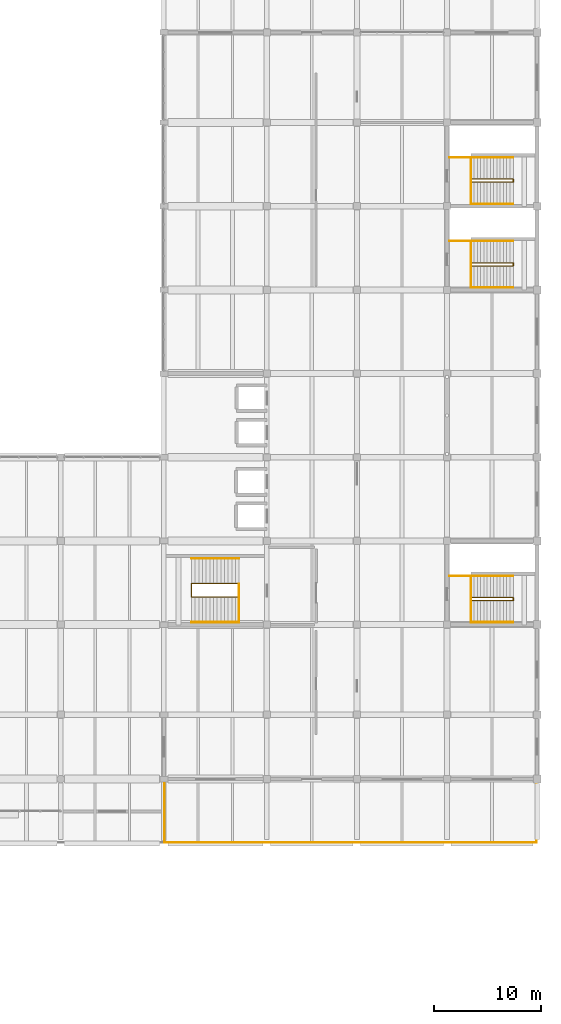
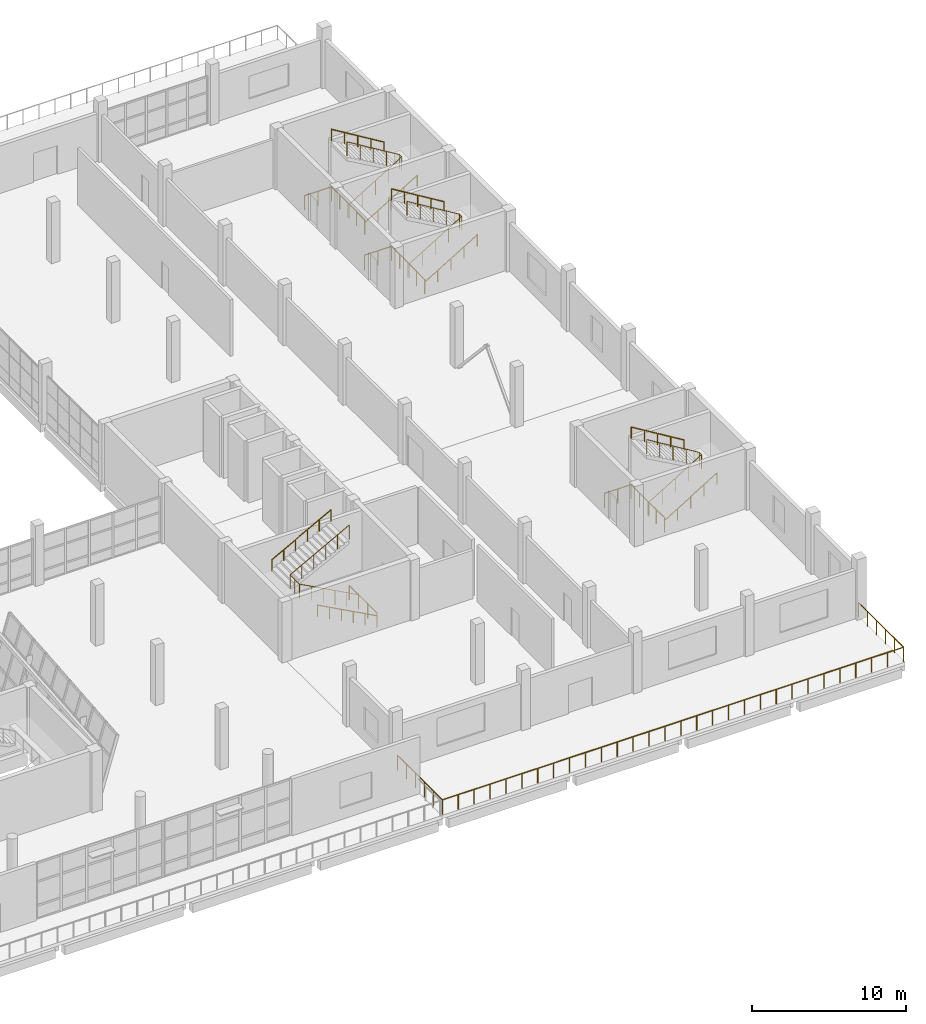
# One storey, part 78 of 79: 17 railings.
"""IFC4 building model written with IfcOpenShell, lengths in metres."""

from ifc_helpers import new_model, si_unit, direction, frame, origin, origin_2d, place, context, subcontext, project, spatial, circle, extrude, material, type_object, element, save


model = new_model("IFC4")

# Units and contexts
model_context = context("Model", 3, precision=1e-05, world=origin(), true_north=direction((0.0, 1.0)))
body_context = subcontext(model_context, "Body", "Model", "MODEL_VIEW")
ifc_project = project(units=[si_unit("LENGTHUNIT", "METRE"), si_unit("AREAUNIT", "SQUARE_METRE"), si_unit("VOLUMEUNIT", "CUBIC_METRE"), si_unit("PLANEANGLEUNIT", "RADIAN"), si_unit("MASSUNIT", "GRAM", prefix="KILO")], contexts=[model_context])

# Site, building, storey
site_placement = place(None, origin())
site = spatial("IfcSite", under=ifc_project, at=site_placement, CompositionType="ELEMENT")
building_placement = place(site_placement, origin())
building = spatial("IfcBuilding", under=site, at=building_placement, Name="Pellamere Symphony Hall", CompositionType="ELEMENT")
storey_placement = place(building_placement, frame((0.0, 0.0, 10.199951171875)))
storey = spatial("IfcBuildingStorey", under=building, at=storey_placement, Name="L02", CompositionType="ELEMENT", Elevation=10.199951171875)

# Railings
ifc_material_1 = material(Name="Painted Steel CSA G40.21 350W", Category="steel")
railing_type_1 = type_object("IfcRailingType", Name="Guardrail GR-02 H1150 Painted", PredefinedType="GUARDRAIL", material=ifc_material_1)
railing_1_placement = place(storey_placement, frame((145.02490234375, 40.989990234375, 0.0)))
element("IfcRailing", 1, at=railing_1_placement, inside=storey, type_object=railing_type_1, Name="Stair ST02-L02 Continuous Well Guardrail (L02)", PredefinedType="GUARDRAIL", context=body_context, shape_type="SweptSolid", body=[
    extrude(circle(Radius=0.02392578125, at=origin_2d()), frame((0.0, 0.0, 1.1259765625), z_axis=(-0.880139072787, 0.0, 0.47471592827), x_axis=(0.0, -1.0, 0.0)), (0.0, 0.0, 1.0), 5.055908203125),
    extrude(circle(Radius=0.02392578125, at=origin_2d()), frame((-4.449951171875, 0.0, 3.52587890625), z_axis=(0.0, 1.0, 0.0), x_axis=(-1.0, 0.0, 0.0)), (0.0, 0.0, 1.0), 1.219970703125),
    extrude(circle(Radius=0.02392578125, at=origin_2d()), frame((-4.449951171875, 1.219970703125, 3.52587890625), z_axis=(0.880159247811, 0.0, 0.474678521204), x_axis=(0.0, 1.0, 0.0)), (0.0, 0.0, 1.0), 5.055908203125),
    extrude(circle(Radius=0.02099609375, at=origin_2d()), origin(), (0.0, 0.0, 1.0), 1.101806640625),
    extrude(circle(Radius=0.02099609375, at=origin_2d()), frame((-0.889892578125, 0.0, 0.47998046875)), (0.0, 0.0, 1.0), 1.101806640625),
    extrude(circle(Radius=0.02099609375, at=origin_2d()), frame((-1.780029296875, 0.0, 0.9599609375)), (0.0, 0.0, 1.0), 1.101806640625),
    extrude(circle(Radius=0.02099609375, at=origin_2d()), frame((-2.669921875, 0.0, 1.440185546875)), (0.0, 0.0, 1.0), 1.101806640625),
    extrude(circle(Radius=0.02099609375, at=origin_2d()), frame((-3.56005859375, 0.0, 1.920166015625)), (0.0, 0.0, 1.0), 1.101806640625),
    extrude(circle(Radius=0.02099609375, at=origin_2d()), frame((-4.449951171875, 0.0, 2.400146484375)), (0.0, 0.0, 1.0), 1.101806640625),
    extrude(circle(Radius=0.02099609375, at=origin_2d()), frame((-4.449951171875, 0.60986328125, 2.400146484375)), (0.0, 0.0, 1.0), 1.101806640625),
    extrude(circle(Radius=0.02099609375, at=origin_2d()), frame((-4.449951171875, 1.219970703125, 2.400146484375)), (0.0, 0.0, 1.0), 1.101806640625),
    extrude(circle(Radius=0.02099609375, at=origin_2d()), frame((-3.56005859375, 1.219970703125, 2.880126953125)), (0.0, 0.0, 1.0), 1.101806640625),
    extrude(circle(Radius=0.02099609375, at=origin_2d()), frame((-2.669921875, 1.219970703125, 3.360107421875)), (0.0, 0.0, 1.0), 1.101806640625),
    extrude(circle(Radius=0.02099609375, at=origin_2d()), frame((-1.780029296875, 1.219970703125, 3.840087890625)), (0.0, 0.0, 1.0), 1.101806640625),
    extrude(circle(Radius=0.02099609375, at=origin_2d()), frame((-0.889892578125, 1.219970703125, 4.320068359375)), (0.0, 0.0, 1.0), 1.101806640625),
    extrude(circle(Radius=0.02099609375, at=origin_2d()), frame((0.0, 1.219970703125, 4.800048828125)), (0.0, 0.0, 1.0), 1.101806640625),
])
railing_2_placement = place(storey_placement, frame((145.02490234375, 38.610107421875, 0.0)))
element("IfcRailing", 2, at=railing_2_placement, inside=storey, type_object=railing_type_1, Name="Stair ST02-L02 Landing Well Slot Guard (L02)", PredefinedType="GUARDRAIL", context=body_context, shape_type="SweptSolid", body=[
    extrude(circle(Radius=0.02392578125, at=origin_2d()), frame((0.0, 0.0, 1.1259765625), z_axis=(0.0, 1.0, 0.0), x_axis=(-1.0, 0.0, 0.0)), (0.0, 0.0, 1.0), 3.599853515625),
    extrude(circle(Radius=0.02099609375, at=origin_2d()), origin(), (0.0, 0.0, 1.0), 1.101806640625),
    extrude(circle(Radius=0.02099609375, at=origin_2d()), frame((0.0, 1.199951171875, 0.0)), (0.0, 0.0, 1.0), 1.101806640625),
    extrude(circle(Radius=0.02099609375, at=origin_2d()), frame((0.0, 2.39990234375, 0.0)), (0.0, 0.0, 1.0), 1.101806640625),
    extrude(circle(Radius=0.02099609375, at=origin_2d()), frame((0.0, 3.599853515625, 0.0)), (0.0, 0.0, 1.0), 1.101806640625),
])
railing_3_placement = place(storey_placement, frame((166.625, 71.840087890625, 0.0)))
element("IfcRailing", 3, at=railing_3_placement, inside=storey, type_object=railing_type_1, Name="Stair ST05-L02 Continuous Well Guardrail (L02)", PredefinedType="GUARDRAIL", context=body_context, shape_type="SweptSolid", body=[
    extrude(circle(Radius=0.02392578125, at=origin_2d()), frame((0.0, 0.0, 1.1259765625), z_axis=(0.854599162348, 0.0, 0.519288235679), x_axis=(0.0, 1.0, 0.0)), (0.0, 0.0, 1.0), 4.6220703125),
    extrude(circle(Radius=0.02392578125, at=origin_2d()), frame((3.949951171875, 0.0, 3.52587890625), z_axis=(0.0, 1.0, 0.0), x_axis=(-1.0, 0.0, 0.0)), (0.0, 0.0, 1.0), 0.280029296875),
    extrude(circle(Radius=0.02392578125, at=origin_2d()), frame((3.949951171875, 0.280029296875, 3.52587890625), z_axis=(-0.854622603422, 0.0, 0.519249656446), x_axis=(0.0, -1.0, 0.0)), (0.0, 0.0, 1.0), 4.621826171875),
    extrude(circle(Radius=0.02099609375, at=origin_2d()), origin(), (0.0, 0.0, 1.0), 1.101806640625),
    extrude(circle(Radius=0.02099609375, at=origin_2d()), frame((0.987548828125, 0.0, 0.60009765625)), (0.0, 0.0, 1.0), 1.101806640625),
    extrude(circle(Radius=0.02099609375, at=origin_2d()), frame((1.97509765625, 0.0, 1.2001953125)), (0.0, 0.0, 1.0), 1.101806640625),
    extrude(circle(Radius=0.02099609375, at=origin_2d()), frame((2.96240234375, 0.0, 1.800048828125)), (0.0, 0.0, 1.0), 1.101806640625),
    extrude(circle(Radius=0.02099609375, at=origin_2d()), frame((3.949951171875, 0.0, 2.400146484375)), (0.0, 0.0, 1.0), 1.101806640625),
    extrude(circle(Radius=0.02099609375, at=origin_2d()), frame((3.949951171875, 0.280029296875, 2.400146484375)), (0.0, 0.0, 1.0), 1.101806640625),
    extrude(circle(Radius=0.02099609375, at=origin_2d()), frame((2.96240234375, 0.280029296875, 3.0)), (0.0, 0.0, 1.0), 1.101806640625),
    extrude(circle(Radius=0.02099609375, at=origin_2d()), frame((1.97509765625, 0.280029296875, 3.60009765625)), (0.0, 0.0, 1.0), 1.101806640625),
    extrude(circle(Radius=0.02099609375, at=origin_2d()), frame((0.987548828125, 0.280029296875, 4.2001953125)), (0.0, 0.0, 1.0), 1.101806640625),
    extrude(circle(Radius=0.02099609375, at=origin_2d()), frame((0.0, 0.280029296875, 4.800048828125)), (0.0, 0.0, 1.0), 1.101806640625),
])
railing_4_placement = place(storey_placement, frame((166.625, 69.81005859375, 0.0)))
element("IfcRailing", 4, at=railing_4_placement, inside=storey, type_object=railing_type_1, Name="Stair ST05-L02 Landing Well Slot Guard (L02)", PredefinedType="GUARDRAIL", context=body_context, shape_type="SweptSolid", body=[
    extrude(circle(Radius=0.02392578125, at=origin_2d()), frame((0.0, 0.0, 1.1259765625), z_axis=(0.0, 1.0, 0.0), x_axis=(-1.0, 0.0, 0.0)), (0.0, 0.0, 1.0), 4.33984375),
    extrude(circle(Radius=0.02392578125, at=origin_2d()), frame((0.0, 4.33984375, 1.1259765625), z_axis=(-1.0, 0.0, 0.0), x_axis=(0.0, -1.0, 0.0)), (0.0, 0.0, 1.0), 2.014892578125),
    extrude(circle(Radius=0.02099609375, at=origin_2d()), origin(), (0.0, 0.0, 1.0), 1.101806640625),
    extrude(circle(Radius=0.02099609375, at=origin_2d()), frame((0.0, 1.0849609375, 0.0)), (0.0, 0.0, 1.0), 1.101806640625),
    extrude(circle(Radius=0.02099609375, at=origin_2d()), frame((0.0, 2.169921875, 0.0)), (0.0, 0.0, 1.0), 1.101806640625),
    extrude(circle(Radius=0.02099609375, at=origin_2d()), frame((0.0, 3.2548828125, 0.0)), (0.0, 0.0, 1.0), 1.101806640625),
    extrude(circle(Radius=0.02099609375, at=origin_2d()), frame((0.0, 4.33984375, 0.0)), (0.0, 0.0, 1.0), 1.101806640625),
    extrude(circle(Radius=0.02099609375, at=origin_2d()), frame((-1.00732421875, 4.33984375, 0.0)), (0.0, 0.0, 1.0), 1.101806640625),
    extrude(circle(Radius=0.02099609375, at=origin_2d()), frame((-2.014892578125, 4.33984375, 0.0)), (0.0, 0.0, 1.0), 1.101806640625),
])
railing_5_placement = place(storey_placement, frame((166.625, 40.639892578125, 0.0)))
element("IfcRailing", 5, at=railing_5_placement, inside=storey, type_object=railing_type_1, Name="Stair ST06-L02 Continuous Well Guardrail (L02)", PredefinedType="GUARDRAIL", context=body_context, shape_type="SweptSolid", body=[
    extrude(circle(Radius=0.02392578125, at=origin_2d()), frame((0.0, 0.0, 1.1259765625), z_axis=(0.854599162348, 0.0, 0.519288235679), x_axis=(0.0, 1.0, 0.0)), (0.0, 0.0, 1.0), 4.6220703125),
    extrude(circle(Radius=0.02392578125, at=origin_2d()), frame((3.949951171875, 0.0, 3.52587890625), z_axis=(0.0, 1.0, 0.0), x_axis=(-1.0, 0.0, 0.0)), (0.0, 0.0, 1.0), 0.280029296875),
    extrude(circle(Radius=0.02392578125, at=origin_2d()), frame((3.949951171875, 0.280029296875, 3.52587890625), z_axis=(-0.854622603422, 0.0, 0.519249656446), x_axis=(0.0, -1.0, 0.0)), (0.0, 0.0, 1.0), 4.621826171875),
    extrude(circle(Radius=0.02099609375, at=origin_2d()), origin(), (0.0, 0.0, 1.0), 1.101806640625),
    extrude(circle(Radius=0.02099609375, at=origin_2d()), frame((0.987548828125, 0.0, 0.60009765625)), (0.0, 0.0, 1.0), 1.101806640625),
    extrude(circle(Radius=0.02099609375, at=origin_2d()), frame((1.97509765625, 0.0, 1.2001953125)), (0.0, 0.0, 1.0), 1.101806640625),
    extrude(circle(Radius=0.02099609375, at=origin_2d()), frame((2.96240234375, 0.0, 1.800048828125)), (0.0, 0.0, 1.0), 1.101806640625),
    extrude(circle(Radius=0.02099609375, at=origin_2d()), frame((3.949951171875, 0.0, 2.400146484375)), (0.0, 0.0, 1.0), 1.101806640625),
    extrude(circle(Radius=0.02099609375, at=origin_2d()), frame((3.949951171875, 0.280029296875, 2.400146484375)), (0.0, 0.0, 1.0), 1.101806640625),
    extrude(circle(Radius=0.02099609375, at=origin_2d()), frame((2.96240234375, 0.280029296875, 3.0)), (0.0, 0.0, 1.0), 1.101806640625),
    extrude(circle(Radius=0.02099609375, at=origin_2d()), frame((1.97509765625, 0.280029296875, 3.60009765625)), (0.0, 0.0, 1.0), 1.101806640625),
    extrude(circle(Radius=0.02099609375, at=origin_2d()), frame((0.987548828125, 0.280029296875, 4.2001953125)), (0.0, 0.0, 1.0), 1.101806640625),
    extrude(circle(Radius=0.02099609375, at=origin_2d()), frame((0.0, 0.280029296875, 4.800048828125)), (0.0, 0.0, 1.0), 1.101806640625),
])
railing_6_placement = place(storey_placement, frame((166.625, 38.610107421875, 0.0)))
element("IfcRailing", 6, at=railing_6_placement, inside=storey, type_object=railing_type_1, Name="Stair ST06-L02 Landing Well Slot Guard (L02)", PredefinedType="GUARDRAIL", context=body_context, shape_type="SweptSolid", body=[
    extrude(circle(Radius=0.02392578125, at=origin_2d()), frame((0.0, 0.0, 1.1259765625), z_axis=(0.0, 1.0, 0.0), x_axis=(-1.0, 0.0, 0.0)), (0.0, 0.0, 1.0), 4.33984375),
    extrude(circle(Radius=0.02392578125, at=origin_2d()), frame((0.0, 4.33984375, 1.1259765625), z_axis=(-1.0, 0.0, 0.0), x_axis=(0.0, -1.0, 0.0)), (0.0, 0.0, 1.0), 2.014892578125),
    extrude(circle(Radius=0.02099609375, at=origin_2d()), origin(), (0.0, 0.0, 1.0), 1.101806640625),
    extrude(circle(Radius=0.02099609375, at=origin_2d()), frame((0.0, 1.0849609375, 0.0)), (0.0, 0.0, 1.0), 1.101806640625),
    extrude(circle(Radius=0.02099609375, at=origin_2d()), frame((0.0, 2.169921875, 0.0)), (0.0, 0.0, 1.0), 1.101806640625),
    extrude(circle(Radius=0.02099609375, at=origin_2d()), frame((0.0, 3.2548828125, 0.0)), (0.0, 0.0, 1.0), 1.101806640625),
    extrude(circle(Radius=0.02099609375, at=origin_2d()), frame((0.0, 4.33984375, 0.0)), (0.0, 0.0, 1.0), 1.101806640625),
    extrude(circle(Radius=0.02099609375, at=origin_2d()), frame((-1.00732421875, 4.33984375, 0.0)), (0.0, 0.0, 1.0), 1.101806640625),
    extrude(circle(Radius=0.02099609375, at=origin_2d()), frame((-2.014892578125, 4.33984375, 0.0)), (0.0, 0.0, 1.0), 1.101806640625),
])
railing_7_placement = place(storey_placement, frame((166.625, 79.639892578125, 0.0)))
element("IfcRailing", 7, at=railing_7_placement, inside=storey, type_object=railing_type_1, Name="Stair ST14-L02 Continuous Well Guardrail (L02)", PredefinedType="GUARDRAIL", context=body_context, shape_type="SweptSolid", body=[
    extrude(circle(Radius=0.02392578125, at=origin_2d()), frame((0.0, 0.0, 1.1259765625), z_axis=(0.854599162348, 0.0, 0.519288235679), x_axis=(0.0, 1.0, 0.0)), (0.0, 0.0, 1.0), 4.6220703125),
    extrude(circle(Radius=0.02392578125, at=origin_2d()), frame((3.949951171875, 0.0, 3.52587890625), z_axis=(0.0, 1.0, 0.0), x_axis=(-1.0, 0.0, 0.0)), (0.0, 0.0, 1.0), 0.280029296875),
    extrude(circle(Radius=0.02392578125, at=origin_2d()), frame((3.949951171875, 0.280029296875, 3.52587890625), z_axis=(-0.854622603422, 0.0, 0.519249656446), x_axis=(0.0, -1.0, 0.0)), (0.0, 0.0, 1.0), 4.621826171875),
    extrude(circle(Radius=0.02099609375, at=origin_2d()), origin(), (0.0, 0.0, 1.0), 1.101806640625),
    extrude(circle(Radius=0.02099609375, at=origin_2d()), frame((0.987548828125, 0.0, 0.60009765625)), (0.0, 0.0, 1.0), 1.101806640625),
    extrude(circle(Radius=0.02099609375, at=origin_2d()), frame((1.97509765625, 0.0, 1.2001953125)), (0.0, 0.0, 1.0), 1.101806640625),
    extrude(circle(Radius=0.02099609375, at=origin_2d()), frame((2.96240234375, 0.0, 1.800048828125)), (0.0, 0.0, 1.0), 1.101806640625),
    extrude(circle(Radius=0.02099609375, at=origin_2d()), frame((3.949951171875, 0.0, 2.400146484375)), (0.0, 0.0, 1.0), 1.101806640625),
    extrude(circle(Radius=0.02099609375, at=origin_2d()), frame((3.949951171875, 0.280029296875, 2.400146484375)), (0.0, 0.0, 1.0), 1.101806640625),
    extrude(circle(Radius=0.02099609375, at=origin_2d()), frame((2.96240234375, 0.280029296875, 3.0)), (0.0, 0.0, 1.0), 1.101806640625),
    extrude(circle(Radius=0.02099609375, at=origin_2d()), frame((1.97509765625, 0.280029296875, 3.60009765625)), (0.0, 0.0, 1.0), 1.101806640625),
    extrude(circle(Radius=0.02099609375, at=origin_2d()), frame((0.987548828125, 0.280029296875, 4.2001953125)), (0.0, 0.0, 1.0), 1.101806640625),
    extrude(circle(Radius=0.02099609375, at=origin_2d()), frame((0.0, 0.280029296875, 4.800048828125)), (0.0, 0.0, 1.0), 1.101806640625),
])
railing_8_placement = place(storey_placement, frame((166.625, 77.610107421875, 0.0)))
element("IfcRailing", 8, at=railing_8_placement, inside=storey, type_object=railing_type_1, Name="Stair ST14-L02 Landing Well Slot Guard (L02)", PredefinedType="GUARDRAIL", context=body_context, shape_type="SweptSolid", body=[
    extrude(circle(Radius=0.02392578125, at=origin_2d()), frame((0.0, 0.0, 1.1259765625), z_axis=(0.0, 1.0, 0.0), x_axis=(-1.0, 0.0, 0.0)), (0.0, 0.0, 1.0), 4.33984375),
    extrude(circle(Radius=0.02392578125, at=origin_2d()), frame((0.0, 4.33984375, 1.1259765625), z_axis=(-1.0, 0.0, 0.0), x_axis=(0.0, -1.0, 0.0)), (0.0, 0.0, 1.0), 2.014892578125),
    extrude(circle(Radius=0.02099609375, at=origin_2d()), origin(), (0.0, 0.0, 1.0), 1.101806640625),
    extrude(circle(Radius=0.02099609375, at=origin_2d()), frame((0.0, 1.0849609375, 0.0)), (0.0, 0.0, 1.0), 1.101806640625),
    extrude(circle(Radius=0.02099609375, at=origin_2d()), frame((0.0, 2.169921875, 0.0)), (0.0, 0.0, 1.0), 1.101806640625),
    extrude(circle(Radius=0.02099609375, at=origin_2d()), frame((0.0, 3.2548828125, 0.0)), (0.0, 0.0, 1.0), 1.101806640625),
    extrude(circle(Radius=0.02099609375, at=origin_2d()), frame((0.0, 4.33984375, 0.0)), (0.0, 0.0, 1.0), 1.101806640625),
    extrude(circle(Radius=0.02099609375, at=origin_2d()), frame((-1.00732421875, 4.33984375, 0.0)), (0.0, 0.0, 1.0), 1.101806640625),
    extrude(circle(Radius=0.02099609375, at=origin_2d()), frame((-2.014892578125, 4.33984375, 0.0)), (0.0, 0.0, 1.0), 1.101806640625),
])
ifc_material_2 = material(Name="Laminated Safety Glass 21.5mm with Stainless Cap", Category="glass")
railing_type_2 = type_object("IfcRailingType", Name="Guardrail GR-03 H1180 Laminated", PredefinedType="GUARDRAIL", material=ifc_material_2)
railing_9_placement = place(storey_placement, frame((138.080078125, 23.919921875, 0.0)))
element("IfcRailing", 9, at=railing_9_placement, inside=storey, type_object=railing_type_2, Name="Safety Guardrail GR-TER-L02-V5S", PredefinedType="GUARDRAIL", context=body_context, shape_type="SweptSolid", body=[
    extrude(circle(Radius=0.02392578125, at=origin_2d()), frame((0.0, 0.0, 1.15576171875), z_axis=(0.0, -1.0, 0.0), x_axis=(1.0, 0.0, 0.0)), (0.0, 0.0, 1.0), 5.83984375),
    extrude(circle(Radius=0.02392578125, at=origin_2d()), frame((0.0, -5.83984375, 1.15576171875), z_axis=(1.0, 0.0, 0.0), x_axis=(0.0, 1.0, 0.0)), (0.0, 0.0, 1.0), 34.639892578125),
    extrude(circle(Radius=0.02392578125, at=origin_2d()), frame((34.639892578125, -5.83984375, 1.15576171875), z_axis=(0.0, 1.0, 0.0), x_axis=(-1.0, 0.0, 0.0)), (0.0, 0.0, 1.0), 5.83984375),
    extrude(circle(Radius=0.02099609375, at=origin_2d()), origin(), (0.0, 0.0, 1.0), 1.1318359375),
    extrude(circle(Radius=0.02099609375, at=origin_2d()), frame((0.0, -1.16796875, 0.0)), (0.0, 0.0, 1.0), 1.1318359375),
    extrude(circle(Radius=0.02099609375, at=origin_2d()), frame((0.0, -2.3359375, 0.0)), (0.0, 0.0, 1.0), 1.1318359375),
    extrude(circle(Radius=0.02099609375, at=origin_2d()), frame((0.0, -3.50390625, 0.0)), (0.0, 0.0, 1.0), 1.1318359375),
    extrude(circle(Radius=0.02099609375, at=origin_2d()), frame((0.0, -4.671875, 0.0)), (0.0, 0.0, 1.0), 1.1318359375),
    extrude(circle(Radius=0.02099609375, at=origin_2d()), frame((0.0, -5.83984375, 0.0)), (0.0, 0.0, 1.0), 1.1318359375),
    extrude(circle(Radius=0.02099609375, at=origin_2d()), frame((1.194580078125, -5.83984375, 0.0)), (0.0, 0.0, 1.0), 1.1318359375),
    extrude(circle(Radius=0.02099609375, at=origin_2d()), frame((2.388916015625, -5.83984375, 0.0)), (0.0, 0.0, 1.0), 1.1318359375),
    extrude(circle(Radius=0.02099609375, at=origin_2d()), frame((3.58349609375, -5.83984375, 0.0)), (0.0, 0.0, 1.0), 1.1318359375),
    extrude(circle(Radius=0.02099609375, at=origin_2d()), frame((4.77783203125, -5.83984375, 0.0)), (0.0, 0.0, 1.0), 1.1318359375),
    extrude(circle(Radius=0.02099609375, at=origin_2d()), frame((5.972412109375, -5.83984375, 0.0)), (0.0, 0.0, 1.0), 1.1318359375),
    extrude(circle(Radius=0.02099609375, at=origin_2d()), frame((7.1669921875, -5.83984375, 0.0)), (0.0, 0.0, 1.0), 1.1318359375),
    extrude(circle(Radius=0.02099609375, at=origin_2d()), frame((8.361328125, -5.83984375, 0.0)), (0.0, 0.0, 1.0), 1.1318359375),
    extrude(circle(Radius=0.02099609375, at=origin_2d()), frame((9.555908203125, -5.83984375, 0.0)), (0.0, 0.0, 1.0), 1.1318359375),
    extrude(circle(Radius=0.02099609375, at=origin_2d()), frame((10.750244140625, -5.83984375, 0.0)), (0.0, 0.0, 1.0), 1.1318359375),
    extrude(circle(Radius=0.02099609375, at=origin_2d()), frame((11.94482421875, -5.83984375, 0.0)), (0.0, 0.0, 1.0), 1.1318359375),
    extrude(circle(Radius=0.02099609375, at=origin_2d()), frame((13.13916015625, -5.83984375, 0.0)), (0.0, 0.0, 1.0), 1.1318359375),
    extrude(circle(Radius=0.02099609375, at=origin_2d()), frame((14.333740234375, -5.83984375, 0.0)), (0.0, 0.0, 1.0), 1.1318359375),
    extrude(circle(Radius=0.02099609375, at=origin_2d()), frame((15.5283203125, -5.83984375, 0.0)), (0.0, 0.0, 1.0), 1.1318359375),
    extrude(circle(Radius=0.02099609375, at=origin_2d()), frame((16.72265625, -5.83984375, 0.0)), (0.0, 0.0, 1.0), 1.1318359375),
    extrude(circle(Radius=0.02099609375, at=origin_2d()), frame((17.917236328125, -5.83984375, 0.0)), (0.0, 0.0, 1.0), 1.1318359375),
    extrude(circle(Radius=0.02099609375, at=origin_2d()), frame((19.111572265625, -5.83984375, 0.0)), (0.0, 0.0, 1.0), 1.1318359375),
    extrude(circle(Radius=0.02099609375, at=origin_2d()), frame((20.30615234375, -5.83984375, 0.0)), (0.0, 0.0, 1.0), 1.1318359375),
    extrude(circle(Radius=0.02099609375, at=origin_2d()), frame((21.500732421875, -5.83984375, 0.0)), (0.0, 0.0, 1.0), 1.1318359375),
    extrude(circle(Radius=0.02099609375, at=origin_2d()), frame((22.695068359375, -5.83984375, 0.0)), (0.0, 0.0, 1.0), 1.1318359375),
    extrude(circle(Radius=0.02099609375, at=origin_2d()), frame((23.8896484375, -5.83984375, 0.0)), (0.0, 0.0, 1.0), 1.1318359375),
    extrude(circle(Radius=0.02099609375, at=origin_2d()), frame((25.083984375, -5.83984375, 0.0)), (0.0, 0.0, 1.0), 1.1318359375),
    extrude(circle(Radius=0.02099609375, at=origin_2d()), frame((26.278564453125, -5.83984375, 0.0)), (0.0, 0.0, 1.0), 1.1318359375),
    extrude(circle(Radius=0.02099609375, at=origin_2d()), frame((27.472900390625, -5.83984375, 0.0)), (0.0, 0.0, 1.0), 1.1318359375),
    extrude(circle(Radius=0.02099609375, at=origin_2d()), frame((28.66748046875, -5.83984375, 0.0)), (0.0, 0.0, 1.0), 1.1318359375),
    extrude(circle(Radius=0.02099609375, at=origin_2d()), frame((29.862060546875, -5.83984375, 0.0)), (0.0, 0.0, 1.0), 1.1318359375),
    extrude(circle(Radius=0.02099609375, at=origin_2d()), frame((31.056396484375, -5.83984375, 0.0)), (0.0, 0.0, 1.0), 1.1318359375),
    extrude(circle(Radius=0.02099609375, at=origin_2d()), frame((32.2509765625, -5.83984375, 0.0)), (0.0, 0.0, 1.0), 1.1318359375),
    extrude(circle(Radius=0.02099609375, at=origin_2d()), frame((33.4453125, -5.83984375, 0.0)), (0.0, 0.0, 1.0), 1.1318359375),
    extrude(circle(Radius=0.02099609375, at=origin_2d()), frame((34.639892578125, -5.83984375, 0.0)), (0.0, 0.0, 1.0), 1.1318359375),
    extrude(circle(Radius=0.02099609375, at=origin_2d()), frame((34.639892578125, -4.671875, 0.0)), (0.0, 0.0, 1.0), 1.1318359375),
    extrude(circle(Radius=0.02099609375, at=origin_2d()), frame((34.639892578125, -3.50390625, 0.0)), (0.0, 0.0, 1.0), 1.1318359375),
    extrude(circle(Radius=0.02099609375, at=origin_2d()), frame((34.639892578125, -2.3359375, 0.0)), (0.0, 0.0, 1.0), 1.1318359375),
    extrude(circle(Radius=0.02099609375, at=origin_2d()), frame((34.639892578125, -1.16796875, 0.0)), (0.0, 0.0, 1.0), 1.1318359375),
    extrude(circle(Radius=0.02099609375, at=origin_2d()), frame((34.639892578125, 0.0, 0.0)), (0.0, 0.0, 1.0), 1.1318359375),
])
ifc_material_3 = material(Name="Stainless Steel AISI 316", Category="steel")
railing_type_3 = type_object("IfcRailingType", Name="Handrail HR-01 H920 Stainless", PredefinedType="HANDRAIL", material=ifc_material_3)
railing_10_placement = place(storey_placement, frame((145.02490234375, 38.6201171875, 0.0)))
element("IfcRailing", 10, at=railing_10_placement, inside=storey, type_object=railing_type_3, Name="Stair ST02-L02 Lower Wall Handrail (L02)", PredefinedType="HANDRAIL", context=body_context, shape_type="SweptSolid", body=[
    extrude(circle(Radius=0.02392578125, at=origin_2d()), frame((0.0, 0.0, 0.89599609375), z_axis=(-0.880139072787, 0.0, 0.47471592827), x_axis=(0.0, -1.0, 0.0)), (0.0, 0.0, 1.0), 5.055908203125),
    extrude(circle(Radius=0.02099609375, at=origin_2d()), origin(), (0.0, 0.0, 1.0), 0.871826171875),
    extrude(circle(Radius=0.02099609375, at=origin_2d()), frame((-0.889892578125, 0.0, 0.47998046875)), (0.0, 0.0, 1.0), 0.871826171875),
    extrude(circle(Radius=0.02099609375, at=origin_2d()), frame((-1.780029296875, 0.0, 0.9599609375)), (0.0, 0.0, 1.0), 0.871826171875),
    extrude(circle(Radius=0.02099609375, at=origin_2d()), frame((-2.669921875, 0.0, 1.440185546875)), (0.0, 0.0, 1.0), 0.871826171875),
    extrude(circle(Radius=0.02099609375, at=origin_2d()), frame((-3.56005859375, 0.0, 1.920166015625)), (0.0, 0.0, 1.0), 0.871826171875),
    extrude(circle(Radius=0.02099609375, at=origin_2d()), frame((-4.449951171875, 0.0, 2.400146484375)), (0.0, 0.0, 1.0), 0.871826171875),
])
railing_11_placement = place(storey_placement, frame((140.574951171875, 44.580078125, 2.400146484375)))
element("IfcRailing", 11, at=railing_11_placement, inside=storey, type_object=railing_type_3, Name="Stair ST02-L02 Upper Wall Handrail (L02)", PredefinedType="HANDRAIL", context=body_context, shape_type="SweptSolid", body=[
    extrude(circle(Radius=0.02392578125, at=origin_2d()), frame((0.0, 0.0, 0.89599609375), z_axis=(0.880159247811, 0.0, 0.474678521204), x_axis=(0.0, 1.0, 0.0)), (0.0, 0.0, 1.0), 5.055908203125),
    extrude(circle(Radius=0.02099609375, at=origin_2d()), origin(), (0.0, 0.0, 1.0), 0.871826171875),
    extrude(circle(Radius=0.02099609375, at=origin_2d()), frame((0.889892578125, 0.0, 0.47998046875)), (0.0, 0.0, 1.0), 0.871826171875),
    extrude(circle(Radius=0.02099609375, at=origin_2d()), frame((1.780029296875, 0.0, 0.9599609375)), (0.0, 0.0, 1.0), 0.871826171875),
    extrude(circle(Radius=0.02099609375, at=origin_2d()), frame((2.669921875, 0.0, 1.43994140625)), (0.0, 0.0, 1.0), 0.871826171875),
    extrude(circle(Radius=0.02099609375, at=origin_2d()), frame((3.56005859375, 0.0, 1.919921875)), (0.0, 0.0, 1.0), 0.871826171875),
    extrude(circle(Radius=0.02099609375, at=origin_2d()), frame((4.449951171875, 0.0, 2.39990234375)), (0.0, 0.0, 1.0), 0.871826171875),
])
railing_12_placement = place(storey_placement, frame((166.625, 69.820068359375, 0.0)))
element("IfcRailing", 12, at=railing_12_placement, inside=storey, type_object=railing_type_3, Name="Stair ST05-L02 Lower Wall Handrail (L02)", PredefinedType="HANDRAIL", context=body_context, shape_type="SweptSolid", body=[
    extrude(circle(Radius=0.02392578125, at=origin_2d()), frame((0.0, 0.0, 0.89599609375), z_axis=(0.854599162348, 0.0, 0.519288235679), x_axis=(0.0, 1.0, 0.0)), (0.0, 0.0, 1.0), 4.6220703125),
    extrude(circle(Radius=0.02099609375, at=origin_2d()), origin(), (0.0, 0.0, 1.0), 0.871826171875),
    extrude(circle(Radius=0.02099609375, at=origin_2d()), frame((0.987548828125, 0.0, 0.60009765625)), (0.0, 0.0, 1.0), 0.871826171875),
    extrude(circle(Radius=0.02099609375, at=origin_2d()), frame((1.97509765625, 0.0, 1.2001953125)), (0.0, 0.0, 1.0), 0.871826171875),
    extrude(circle(Radius=0.02099609375, at=origin_2d()), frame((2.96240234375, 0.0, 1.800048828125)), (0.0, 0.0, 1.0), 0.871826171875),
    extrude(circle(Radius=0.02099609375, at=origin_2d()), frame((3.949951171875, 0.0, 2.400146484375)), (0.0, 0.0, 1.0), 0.871826171875),
])
railing_13_placement = place(storey_placement, frame((170.574951171875, 74.139892578125, 2.400146484375)))
element("IfcRailing", 13, at=railing_13_placement, inside=storey, type_object=railing_type_3, Name="Stair ST05-L02 Upper Wall Handrail (L02)", PredefinedType="HANDRAIL", context=body_context, shape_type="SweptSolid", body=[
    extrude(circle(Radius=0.02392578125, at=origin_2d()), frame((0.0, 0.0, 0.89599609375), z_axis=(-0.854622603422, 0.0, 0.519249656446), x_axis=(0.0, -1.0, 0.0)), (0.0, 0.0, 1.0), 4.621826171875),
    extrude(circle(Radius=0.02099609375, at=origin_2d()), origin(), (0.0, 0.0, 1.0), 0.871826171875),
    extrude(circle(Radius=0.02099609375, at=origin_2d()), frame((-0.987548828125, 0.0, 0.60009765625)), (0.0, 0.0, 1.0), 0.871826171875),
    extrude(circle(Radius=0.02099609375, at=origin_2d()), frame((-1.97509765625, 0.0, 1.199951171875)), (0.0, 0.0, 1.0), 0.871826171875),
    extrude(circle(Radius=0.02099609375, at=origin_2d()), frame((-2.96240234375, 0.0, 1.7998046875)), (0.0, 0.0, 1.0), 0.871826171875),
    extrude(circle(Radius=0.02099609375, at=origin_2d()), frame((-3.949951171875, 0.0, 2.39990234375)), (0.0, 0.0, 1.0), 0.871826171875),
])
railing_14_placement = place(storey_placement, frame((166.625, 38.6201171875, 0.0)))
element("IfcRailing", 14, at=railing_14_placement, inside=storey, type_object=railing_type_3, Name="Stair ST06-L02 Lower Wall Handrail (L02)", PredefinedType="HANDRAIL", context=body_context, shape_type="SweptSolid", body=[
    extrude(circle(Radius=0.02392578125, at=origin_2d()), frame((0.0, 0.0, 0.89599609375), z_axis=(0.854599162348, 0.0, 0.519288235679), x_axis=(0.0, 1.0, 0.0)), (0.0, 0.0, 1.0), 4.6220703125),
    extrude(circle(Radius=0.02099609375, at=origin_2d()), origin(), (0.0, 0.0, 1.0), 0.871826171875),
    extrude(circle(Radius=0.02099609375, at=origin_2d()), frame((0.987548828125, 0.0, 0.60009765625)), (0.0, 0.0, 1.0), 0.871826171875),
    extrude(circle(Radius=0.02099609375, at=origin_2d()), frame((1.97509765625, 0.0, 1.2001953125)), (0.0, 0.0, 1.0), 0.871826171875),
    extrude(circle(Radius=0.02099609375, at=origin_2d()), frame((2.96240234375, 0.0, 1.800048828125)), (0.0, 0.0, 1.0), 0.871826171875),
    extrude(circle(Radius=0.02099609375, at=origin_2d()), frame((3.949951171875, 0.0, 2.400146484375)), (0.0, 0.0, 1.0), 0.871826171875),
])
railing_15_placement = place(storey_placement, frame((170.574951171875, 42.93994140625, 2.400146484375)))
element("IfcRailing", 15, at=railing_15_placement, inside=storey, type_object=railing_type_3, Name="Stair ST06-L02 Upper Wall Handrail (L02)", PredefinedType="HANDRAIL", context=body_context, shape_type="SweptSolid", body=[
    extrude(circle(Radius=0.02392578125, at=origin_2d()), frame((0.0, 0.0, 0.89599609375), z_axis=(-0.854622603422, 0.0, 0.519249656446), x_axis=(0.0, -1.0, 0.0)), (0.0, 0.0, 1.0), 4.621826171875),
    extrude(circle(Radius=0.02099609375, at=origin_2d()), origin(), (0.0, 0.0, 1.0), 0.871826171875),
    extrude(circle(Radius=0.02099609375, at=origin_2d()), frame((-0.987548828125, 0.0, 0.60009765625)), (0.0, 0.0, 1.0), 0.871826171875),
    extrude(circle(Radius=0.02099609375, at=origin_2d()), frame((-1.97509765625, 0.0, 1.199951171875)), (0.0, 0.0, 1.0), 0.871826171875),
    extrude(circle(Radius=0.02099609375, at=origin_2d()), frame((-2.96240234375, 0.0, 1.7998046875)), (0.0, 0.0, 1.0), 0.871826171875),
    extrude(circle(Radius=0.02099609375, at=origin_2d()), frame((-3.949951171875, 0.0, 2.39990234375)), (0.0, 0.0, 1.0), 0.871826171875),
])
railing_16_placement = place(storey_placement, frame((166.625, 77.6201171875, 0.0)))
element("IfcRailing", 16, at=railing_16_placement, inside=storey, type_object=railing_type_3, Name="Stair ST14-L02 Lower Wall Handrail (L02)", PredefinedType="HANDRAIL", context=body_context, shape_type="SweptSolid", body=[
    extrude(circle(Radius=0.02392578125, at=origin_2d()), frame((0.0, 0.0, 0.89599609375), z_axis=(0.854599162348, 0.0, 0.519288235679), x_axis=(0.0, 1.0, 0.0)), (0.0, 0.0, 1.0), 4.6220703125),
    extrude(circle(Radius=0.02099609375, at=origin_2d()), origin(), (0.0, 0.0, 1.0), 0.871826171875),
    extrude(circle(Radius=0.02099609375, at=origin_2d()), frame((0.987548828125, 0.0, 0.60009765625)), (0.0, 0.0, 1.0), 0.871826171875),
    extrude(circle(Radius=0.02099609375, at=origin_2d()), frame((1.97509765625, 0.0, 1.2001953125)), (0.0, 0.0, 1.0), 0.871826171875),
    extrude(circle(Radius=0.02099609375, at=origin_2d()), frame((2.96240234375, 0.0, 1.800048828125)), (0.0, 0.0, 1.0), 0.871826171875),
    extrude(circle(Radius=0.02099609375, at=origin_2d()), frame((3.949951171875, 0.0, 2.400146484375)), (0.0, 0.0, 1.0), 0.871826171875),
])
railing_17_placement = place(storey_placement, frame((170.574951171875, 81.93994140625, 2.400146484375)))
element("IfcRailing", 17, at=railing_17_placement, inside=storey, type_object=railing_type_3, Name="Stair ST14-L02 Upper Wall Handrail (L02)", PredefinedType="HANDRAIL", context=body_context, shape_type="SweptSolid", body=[
    extrude(circle(Radius=0.02392578125, at=origin_2d()), frame((0.0, 0.0, 0.89599609375), z_axis=(-0.854622603422, 0.0, 0.519249656446), x_axis=(0.0, -1.0, 0.0)), (0.0, 0.0, 1.0), 4.621826171875),
    extrude(circle(Radius=0.02099609375, at=origin_2d()), origin(), (0.0, 0.0, 1.0), 0.871826171875),
    extrude(circle(Radius=0.02099609375, at=origin_2d()), frame((-0.987548828125, 0.0, 0.60009765625)), (0.0, 0.0, 1.0), 0.871826171875),
    extrude(circle(Radius=0.02099609375, at=origin_2d()), frame((-1.97509765625, 0.0, 1.199951171875)), (0.0, 0.0, 1.0), 0.871826171875),
    extrude(circle(Radius=0.02099609375, at=origin_2d()), frame((-2.96240234375, 0.0, 1.7998046875)), (0.0, 0.0, 1.0), 0.871826171875),
    extrude(circle(Radius=0.02099609375, at=origin_2d()), frame((-3.949951171875, 0.0, 2.39990234375)), (0.0, 0.0, 1.0), 0.871826171875),
])

save(model, "model.ifc")
